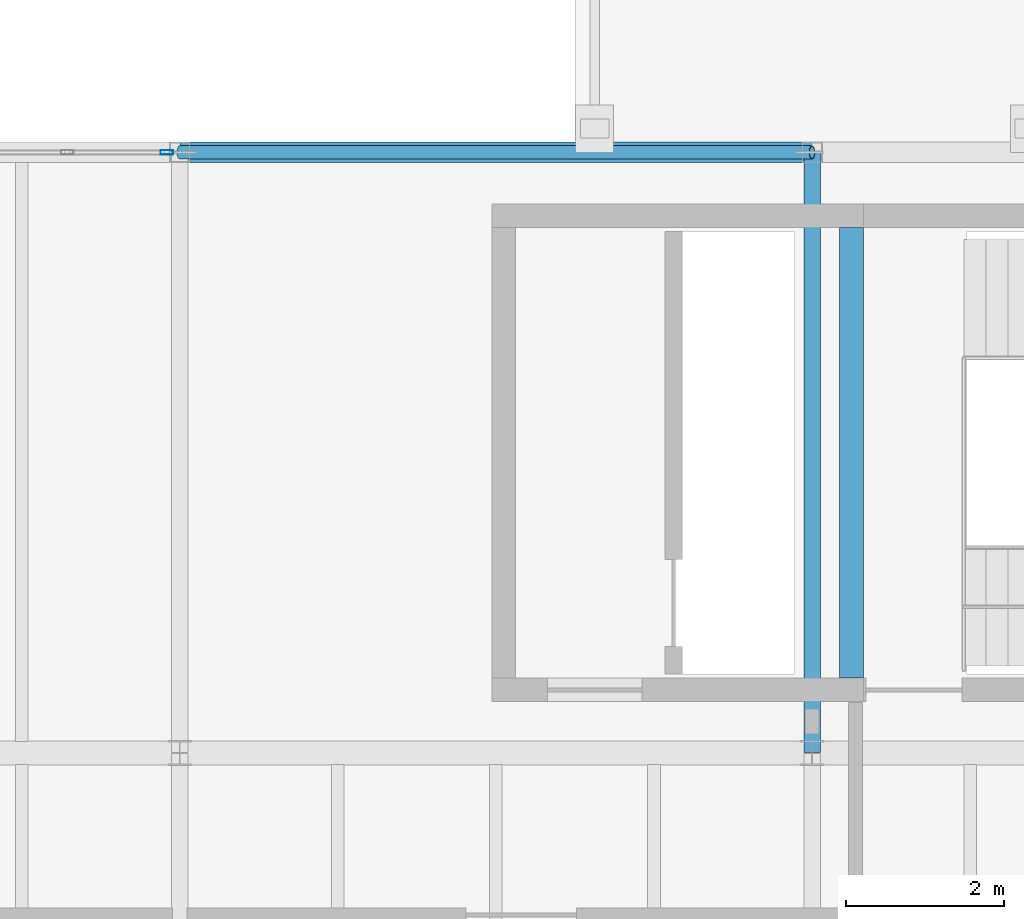
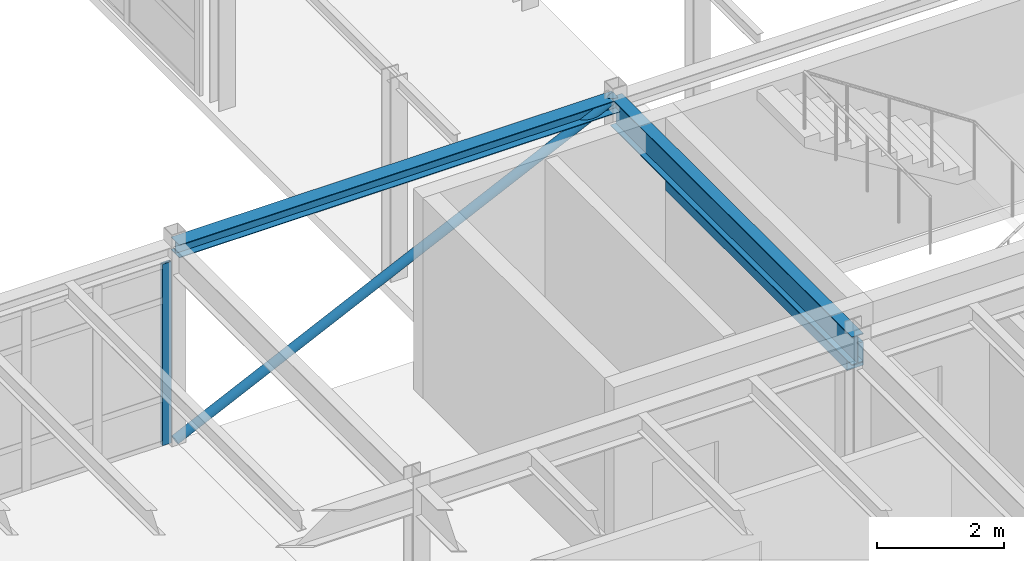
# One storey, part 123 of 189: 3 beams, 2 members, 1 element without a shape of its own.
"""IFC4 building model written with IfcOpenShell, lengths in metres."""

from ifc_helpers import new_model, si_unit, direction, frame, origin, origin_2d, place, context, subcontext, project, spatial, rectangle, hollow_rectangle, hollow_circle, i_section, extrude, material, layer, layer_set, material_profile, profile_set, type_object, element, aggregate, save


model = new_model("IFC4")

# Units and contexts
model_context = context("Model", 3, precision=1e-05, world=origin(), true_north=direction((0.0, 1.0)))
body_context = subcontext(model_context, "Body", "Model", "MODEL_VIEW")
ifc_project = project(units=[si_unit("LENGTHUNIT", "METRE"), si_unit("AREAUNIT", "SQUARE_METRE"), si_unit("VOLUMEUNIT", "CUBIC_METRE"), si_unit("PLANEANGLEUNIT", "RADIAN"), si_unit("MASSUNIT", "GRAM", prefix="KILO")], contexts=[model_context])

# Site, building, storey
site_placement = place(None, origin())
site = spatial("IfcSite", under=ifc_project, at=site_placement, CompositionType="ELEMENT")
building_placement = place(site_placement, origin())
building = spatial("IfcBuilding", under=site, at=building_placement, Name="Montecoro Central Library", CompositionType="ELEMENT")
storey_placement = place(building_placement, frame((0.0, 0.0, 9.179931640625)))
storey = spatial("IfcBuildingStorey", under=building, at=storey_placement, Name="L02", CompositionType="ELEMENT", Elevation=9.179931640625)

# Beams
ifc_material_1 = material(Name="Steel S355J2", Category="steel")
ifc_material_profile_1 = material_profile(ifc_material_1, i_section(OverallWidth=0.2099609375, OverallDepth=0.550048828125, WebThickness=0.010986328125, FlangeThickness=0.01708984375, at=origin_2d()), Name="IPE 550")
ifc_profile_set_1 = profile_set([ifc_material_profile_1], Name="Steel S355J2")
beam_type_1 = type_object("IfcBeamType", Name="BM-G-IPE550", PredefinedType="USERDEFINED", material=ifc_profile_set_1)
beam_1_placement = place(storey_placement, frame((157.0, 35.405029296875, 3.550048828125), z_axis=(0.0, 1.0, 0.0), x_axis=(-1.0, 0.0, 0.0)))
element("IfcBeam", 1, at=beam_1_placement, inside=storey, type_object=beam_type_1, Name="V6-L02-BY-20-EF", ObjectType="GIRDER", PredefinedType="USERDEFINED", context=body_context, shape_type="SweptSolid", body=[
    extrude(i_section(OverallWidth=0.2099609375, OverallDepth=0.550048828125, WebThickness=0.010986328125, FlangeThickness=0.01708984375, at=origin_2d()), origin(), (0.0, 0.0, 1.0), 7.590087890625),
])
ifc_material_2 = material(Name="Concrete C35/45", Category="concrete")
ifc_material_profile_2 = material_profile(ifc_material_2, rectangle(XDim=0.300048828125, YDim=0.449951171875, at=origin_2d()), Name="RC LNT 450x300")
ifc_profile_set_2 = profile_set([ifc_material_profile_2], Name="Concrete C35/45")
beam_type_2 = type_object("IfcBeamType", Name="BM-LN-RC02", PredefinedType="LINTEL", material=ifc_profile_set_2)
beam_2_placement = place(storey_placement, frame((157.5, 36.35009765625, 2.675048828125), z_axis=(0.0, 1.0, 0.0), x_axis=(-1.0, 0.0, 0.0)))
element("IfcBeam", 2, at=beam_2_placement, inside=storey, type_object=beam_type_2, Name="C7-L02-LNT", PredefinedType="LINTEL", context=body_context, shape_type="SweptSolid", body=[
    extrude(rectangle(XDim=0.300048828125, YDim=0.449951171875, at=origin_2d()), origin(), (0.0, 0.0, 1.0), 5.699951171875),
])
ifc_material_3 = material(Name="Steel S355", Category="steel")
ifc_material_profile_3 = material_profile(ifc_material_3, i_section(OverallWidth=0.260009765625, OverallDepth=0.25, WebThickness=0.007568359375, FlangeThickness=0.012451171875, at=origin_2d()), Name="HEA 260")
ifc_profile_set_3 = profile_set([ifc_material_profile_3], Name="Steel S355")
beam_type_3 = type_object("IfcBeamType", Name="BM-SP-HEA260", PredefinedType="SPANDREL", material=ifc_profile_set_3)
beam_3_placement = place(storey_placement, frame((149.0048828125, 43.0, 3.699951171875), z_axis=(1.0, 0.0, 0.0), x_axis=(0.0, 1.0, 0.0)))
element("IfcBeam", 3, at=beam_3_placement, inside=storey, type_object=beam_type_3, Name="V6-L02-BX-1920-F", PredefinedType="SPANDREL", context=body_context, shape_type="SweptSolid", body=[
    extrude(i_section(OverallWidth=0.260009765625, OverallDepth=0.25, WebThickness=0.007568359375, FlangeThickness=0.012451171875, at=origin_2d()), origin(), (0.0, 0.0, 1.0), 7.990234375),
])

# Curtain wall, member
ifc_material_4 = material(Name="Bronze-anodised aluminium and low-E glazing", Category="aluminium")
ifc_layer = layer(ifc_material_4, 0.159912109375)
ifc_layer_set = layer_set([ifc_layer], Name="Bronze-anodised aluminium and low-E glazing")
curtain_wall_type = type_object("IfcCurtainWallType", Name="CWT-066", PredefinedType="NOTDEFINED", material=ifc_layer_set)
curtain_wall_placement = place(storey_placement, origin())
curtain_wall = element("IfcCurtainWall", 4, at=curtain_wall_placement, inside=storey, type_object=curtain_wall_type, Name="V6-L02-CW-N0", PredefinedType="NOTDEFINED")
ifc_material_5 = material(Name="Bronze-anodised aluminium", Category="aluminium")
ifc_material_profile_4 = material_profile(ifc_material_5, hollow_rectangle(XDim=0.06005859375, YDim=0.159912109375, WallThickness=0.00390625, at=origin_2d()), Name="CWM 160x60x4.0")
ifc_profile_set_4 = profile_set([ifc_material_profile_4], Name="Bronze-anodised aluminium")
member_type_1 = type_object("IfcMemberType", Name="CWM-BRZ-60", PredefinedType="MULLION", material=ifc_profile_set_4)
member_1_placement = place(storey_placement, frame((148.8369140625, 43.0, 0.0), z_axis=(0.0, 0.0, 1.0), x_axis=(0.0, -1.0, 0.0)))
member_1 = element("IfcMember", 5, at=member_1_placement, type_object=member_type_1, Name="CW-066 mullion 1", PredefinedType="MULLION", context=body_context, shape_type="SweptSolid", body=[
    extrude(hollow_rectangle(XDim=0.06005859375, YDim=0.159912109375, WallThickness=0.00390625, at=origin_2d()), origin(), (0.0, 0.0, 1.0), 3.47998046875),
])
aggregate(curtain_wall, [member_1])

# Member
ifc_material_profile_5 = material_profile(ifc_material_3, hollow_circle(Radius=0.084228515625, WallThickness=0.008056640625, at=origin_2d()), Name="CHS 168.3x8.0")
ifc_profile_set_5 = profile_set([ifc_material_profile_5], Name="Steel S355")
member_type_2 = type_object("IfcMemberType", Name="MB-BR-CHS168", PredefinedType="BRACE", material=ifc_profile_set_5)
member_2_placement = place(storey_placement, frame((149.0, 43.0, 0.010009765625), z_axis=(0.903488974283, 0.0, 0.428611331336), x_axis=(0.0, 1.0, 0.0)))
element("IfcMember", 6, at=member_2_placement, inside=storey, type_object=member_type_2, Name="V6-L02-BRN1", PredefinedType="BRACE", context=body_context, shape_type="SweptSolid", body=[
    extrude(hollow_circle(Radius=0.084228515625, WallThickness=0.008056640625, at=origin_2d()), origin(), (0.0, 0.0, 1.0), 8.8544921875),
])

save(model, "model.ifc")
